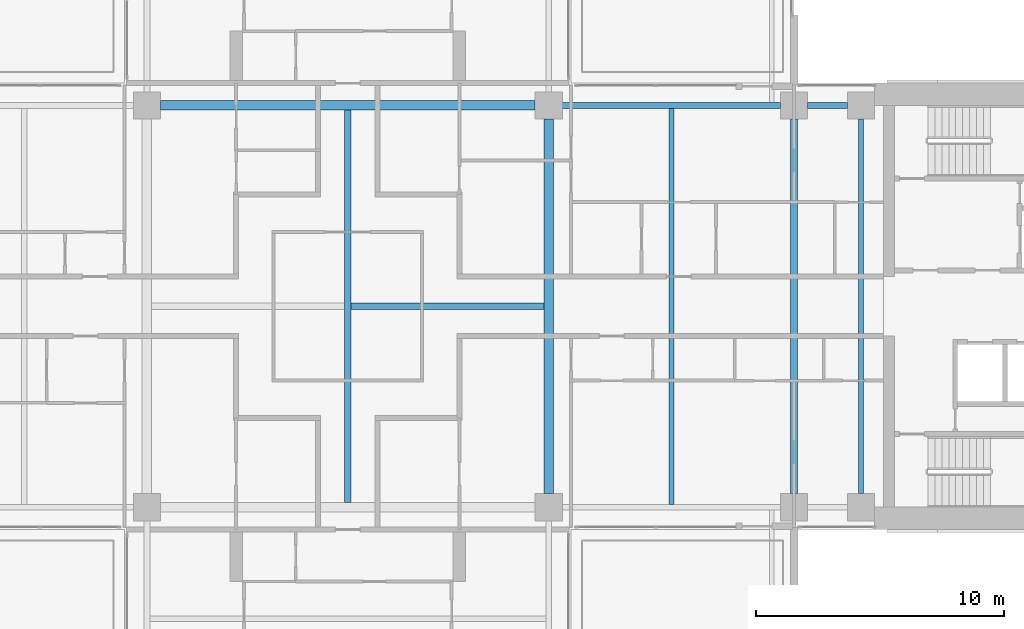
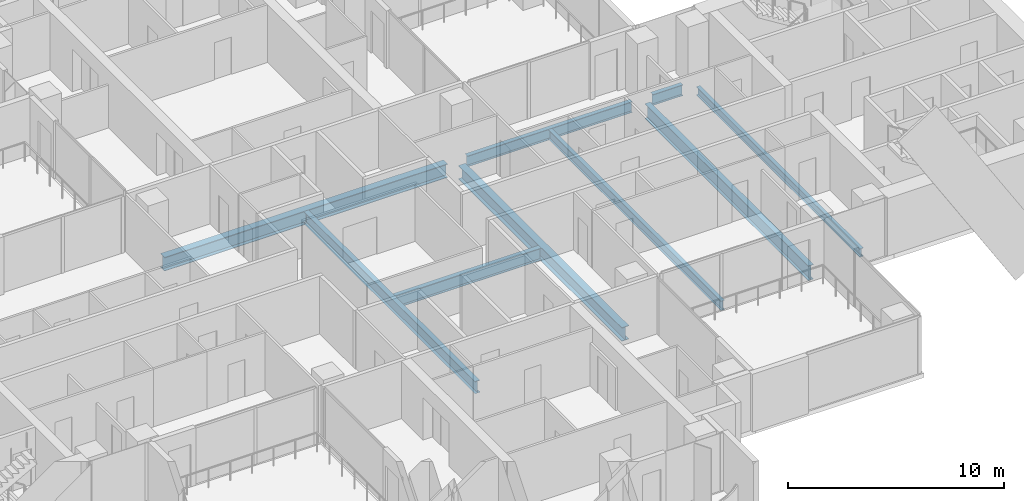
# One storey, part 4 of 19: 9 beams.
"""IFC4 building model written with IfcOpenShell, lengths in metres."""

from ifc_helpers import new_model, si_unit, direction, frame, origin, origin_2d, place, context, subcontext, project, spatial, i_section, extrude, material, material_profile, profile_set, type_object, element, save


model = new_model("IFC4")

# Units and contexts
model_context = context("Model", 3, precision=1e-05, world=origin(), true_north=direction((0.0, 1.0)))
body_context = subcontext(model_context, "Body", "Model", "MODEL_VIEW")
ifc_project = project(units=[si_unit("LENGTHUNIT", "METRE"), si_unit("AREAUNIT", "SQUARE_METRE"), si_unit("VOLUMEUNIT", "CUBIC_METRE"), si_unit("PLANEANGLEUNIT", "RADIAN"), si_unit("MASSUNIT", "GRAM", prefix="KILO")], contexts=[model_context])

# Site, building, storey
site_placement = place(None, origin())
site = spatial("IfcSite", under=ifc_project, at=site_placement, CompositionType="ELEMENT")
building_placement = place(site_placement, origin())
building = spatial("IfcBuilding", under=site, at=building_placement, Name="Perihelion Cross Residences", CompositionType="ELEMENT")
storey_placement = place(building_placement, frame((0.0, 0.0, 126.89990234375)))
storey = spatial("IfcBuildingStorey", under=building, at=storey_placement, Name="L30", CompositionType="ELEMENT", Elevation=126.89990234375)

# Beams
ifc_material_1 = material(Name="Steel S355", Category="steel")
ifc_material_profile_1 = material_profile(ifc_material_1, i_section(OverallWidth=0.194091796875, OverallDepth=0.469970703125, WebThickness=0.0126953125, FlangeThickness=0.0205078125, at=origin_2d()), Name="W460x106")
ifc_profile_set_1 = profile_set([ifc_material_profile_1], Name="Steel S355")
beam_type_1 = type_object("IfcBeamType", Name="Core edge beam W460x106", PredefinedType="BEAM", material=ifc_profile_set_1)
beam_1_placement = place(storey_placement, frame((20.699951171875, -7.550048828125, -0.48486328125), z_axis=(0.0, 1.0, 0.0), x_axis=(-1.0, 0.0, 0.0)))
element("IfcBeam", 1, at=beam_1_placement, inside=storey, type_object=beam_type_1, Name="Core edge beam TB5 L30 no. 2", PredefinedType="BEAM", context=body_context, shape_type="SweptSolid", body=[
    extrude(i_section(OverallWidth=0.194091796875, OverallDepth=0.469970703125, WebThickness=0.0126953125, FlangeThickness=0.0205078125, at=origin_2d()), origin(), (0.0, 0.0, 1.0), 15.10009765625),
])
ifc_material_2 = material(Name="Steel S355", Category="steel")
ifc_material_profile_2 = material_profile(ifc_material_2, i_section(OverallWidth=0.22900390625, OverallDepth=0.612060546875, WebThickness=0.011962890625, FlangeThickness=0.01953125, at=origin_2d()), Name="W610x125")
ifc_profile_set_2 = profile_set([ifc_material_profile_2], Name="Steel S355")
beam_type_2 = type_object("IfcBeamType", Name="Edge beam W610x125", PredefinedType="SPANDREL", material=ifc_profile_set_2)
beam_2_placement = place(storey_placement, frame((20.14990234375, 8.10009765625, -0.555908203125), z_axis=(-1.0, 0.0, 0.0), x_axis=(0.0, -1.0, 0.0)))
element("IfcBeam", 2, at=beam_2_placement, inside=storey, type_object=beam_type_2, Name="Edge beam SB3 L30 no. 13", PredefinedType="SPANDREL", context=body_context, shape_type="SweptSolid", body=[
    extrude(i_section(OverallWidth=0.22900390625, OverallDepth=0.612060546875, WebThickness=0.011962890625, FlangeThickness=0.01953125, at=origin_2d()), origin(), (0.0, 0.0, 1.0), 1.599853515625),
])
beam_3_placement = place(storey_placement, frame((17.449951171875, 8.10009765625, -0.555908203125), z_axis=(-1.0, 0.0, 0.0), x_axis=(0.0, -1.0, 0.0)))
element("IfcBeam", 3, at=beam_3_placement, inside=storey, type_object=beam_type_2, Name="Edge beam SB3 L30 no. 12", PredefinedType="SPANDREL", context=body_context, shape_type="SweptSolid", body=[
    extrude(i_section(OverallWidth=0.22900390625, OverallDepth=0.612060546875, WebThickness=0.011962890625, FlangeThickness=0.01953125, at=origin_2d()), origin(), (0.0, 0.0, 1.0), 8.800048828125),
])
ifc_material_3 = material(Name="Steel S355", Category="steel")
ifc_material_profile_3 = material_profile(ifc_material_3, i_section(OverallWidth=0.2919921875, OverallDepth=0.8359375, WebThickness=0.013916015625, FlangeThickness=0.018798828125, at=origin_2d()), Name="W840x176")
ifc_profile_set_3 = profile_set([ifc_material_profile_3], Name="Steel S355")
beam_type_3 = type_object("IfcBeamType", Name="Floor girder W840x176", PredefinedType="BEAM", material=ifc_profile_set_3)
beam_4_placement = place(storey_placement, frame((18.0, -7.550048828125, -0.66796875), z_axis=(0.0, 1.0, 0.0), x_axis=(-1.0, 0.0, 0.0)))
element("IfcBeam", 4, at=beam_4_placement, inside=storey, type_object=beam_type_3, Name="Girder G3 L30 no. 2", PredefinedType="BEAM", context=body_context, shape_type="SweptSolid", body=[
    extrude(i_section(OverallWidth=0.2919921875, OverallDepth=0.8359375, WebThickness=0.013916015625, FlangeThickness=0.018798828125, at=origin_2d()), origin(), (0.0, 0.0, 1.0), 15.10009765625),
])
ifc_material_4 = material(Name="Steel S355", Category="steel")
ifc_material_profile_4 = material_profile(ifc_material_4, i_section(OverallWidth=0.208984375, OverallDepth=0.532958984375, WebThickness=0.01025390625, FlangeThickness=0.015625, at=origin_2d()), Name="W530x92")
ifc_profile_set_4 = profile_set([ifc_material_profile_4], Name="Steel S355")
beam_type_4 = type_object("IfcBeamType", Name="Floor joist W530x92", PredefinedType="JOIST", material=ifc_profile_set_4)
beam_5_placement = place(storey_placement, frame((13.050048828125, -7.985595703125, -0.516357421875), z_axis=(0.0, 1.0, 0.0), x_axis=(-1.0, 0.0, 0.0)))
element("IfcBeam", 5, at=beam_5_placement, inside=storey, type_object=beam_type_4, Name="Joist J4 L30 no. 2", PredefinedType="JOIST", context=body_context, shape_type="SweptSolid", body=[
    extrude(i_section(OverallWidth=0.208984375, OverallDepth=0.532958984375, WebThickness=0.01025390625, FlangeThickness=0.015625, at=origin_2d()), origin(), (0.0, 0.0, 1.0), 15.97119140625),
])
ifc_material_5 = material(Name="Steel S355", Category="steel")
ifc_material_profile_5 = material_profile(ifc_material_5, i_section(OverallWidth=0.257080078125, OverallDepth=0.693115234375, WebThickness=0.014404296875, FlangeThickness=0.023681640625, at=origin_2d()), Name="W690x170")
ifc_profile_set_5 = profile_set([ifc_material_profile_5], Name="Steel S355")
beam_type_5 = type_object("IfcBeamType", Name="Hub cross beam W690x170", PredefinedType="BEAM", material=ifc_profile_set_5)
beam_6_placement = place(storey_placement, frame((0.0, -7.909423828125, -0.596435546875), z_axis=(0.0, 1.0, 0.0), x_axis=(-1.0, 0.0, 0.0)))
element("IfcBeam", 6, at=beam_6_placement, inside=storey, type_object=beam_type_5, Name="Hub cross beam XB3 L30 no. 1", PredefinedType="BEAM", context=body_context, shape_type="SweptSolid", body=[
    extrude(i_section(OverallWidth=0.257080078125, OverallDepth=0.693115234375, WebThickness=0.014404296875, FlangeThickness=0.023681640625, at=origin_2d()), origin(), (0.0, 0.0, 1.0), 15.81884765625),
])
beam_7_placement = place(storey_placement, frame((0.12841796875, 0.0, -0.596435546875), z_axis=(1.0, 0.0, 0.0), x_axis=(0.0, 1.0, 0.0)))
element("IfcBeam", 7, at=beam_7_placement, inside=storey, type_object=beam_type_5, Name="Hub cross beam XB3 L30 2 no. 1", PredefinedType="BEAM", context=body_context, shape_type="SweptSolid", body=[
    extrude(i_section(OverallWidth=0.257080078125, OverallDepth=0.693115234375, WebThickness=0.014404296875, FlangeThickness=0.023681640625, at=origin_2d()), origin(), (0.0, 0.0, 1.0), 7.781005859375),
])
ifc_material_6 = material(Name="Steel S355", Category="steel")
ifc_material_profile_6 = material_profile(ifc_material_6, i_section(OverallWidth=0.381103515625, OverallDepth=0.77197265625, WebThickness=0.0166015625, FlangeThickness=0.027099609375, at=origin_2d()), Name="W760x257")
ifc_profile_set_6 = profile_set([ifc_material_profile_6], Name="Steel S355")
beam_type_6 = type_object("IfcBeamType", Name="Hub ring girder W760x257", PredefinedType="BEAM", material=ifc_profile_set_6)
for number, where, z_axis, x_axis, name in (
    (8, (8.10009765625, -7.550048828125, -0.635986328125), (0.0, 1.0, 0.0), (-1.0, 0.0, 0.0), "Hub ring girder RG3 L30 no. 3"),
    (9, (7.550048828125, 8.10009765625, -0.635986328125), (-1.0, 0.0, 0.0), (0.0, -1.0, 0.0), "Hub ring girder RG3 L30 no. 4"),
):
    element("IfcBeam", number, at=place(storey_placement, frame(where, z_axis=z_axis, x_axis=x_axis)), inside=storey, type_object=beam_type_6, Name=name, PredefinedType="BEAM", context=body_context, shape_type="SweptSolid", body=[
        extrude(i_section(OverallWidth=0.381103515625, OverallDepth=0.77197265625, WebThickness=0.0166015625, FlangeThickness=0.027099609375, at=origin_2d()), origin(), (0.0, 0.0, 1.0), 15.10009765625),
    ])

save(model, "model.ifc")
